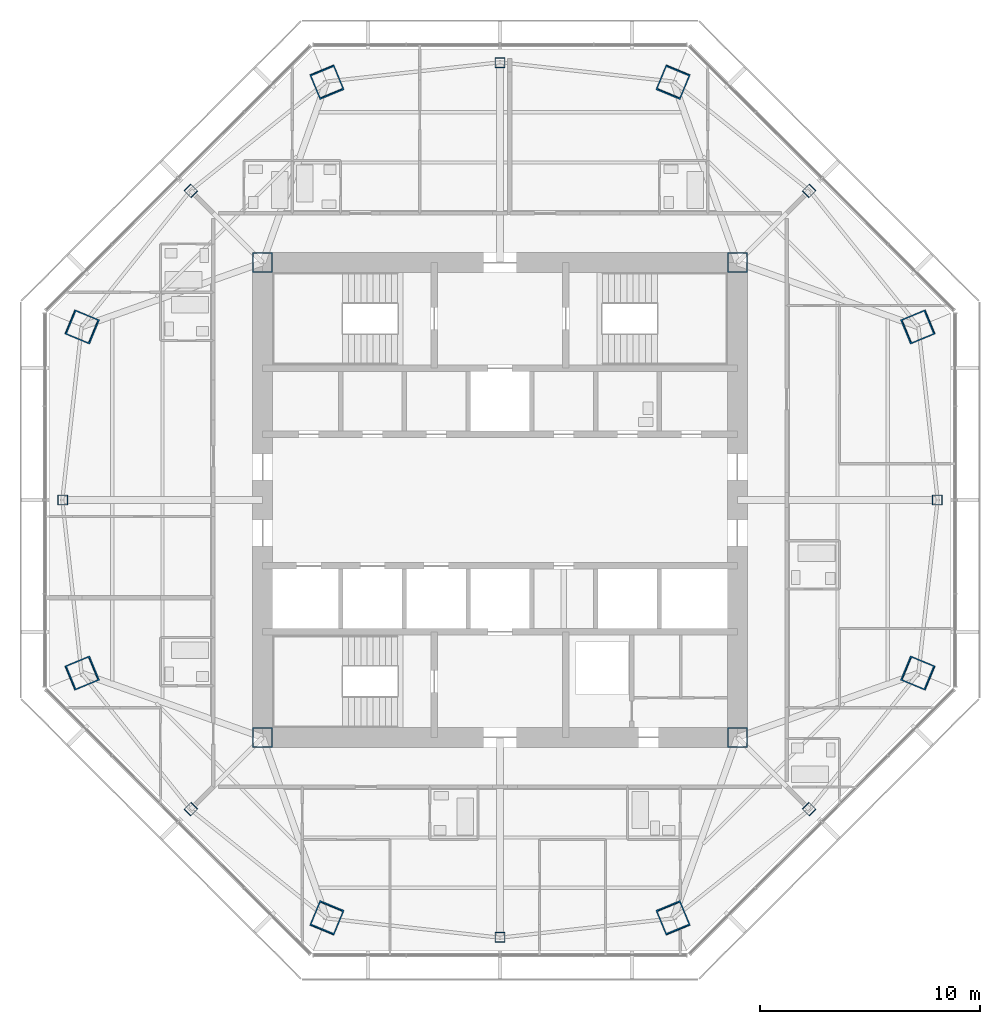
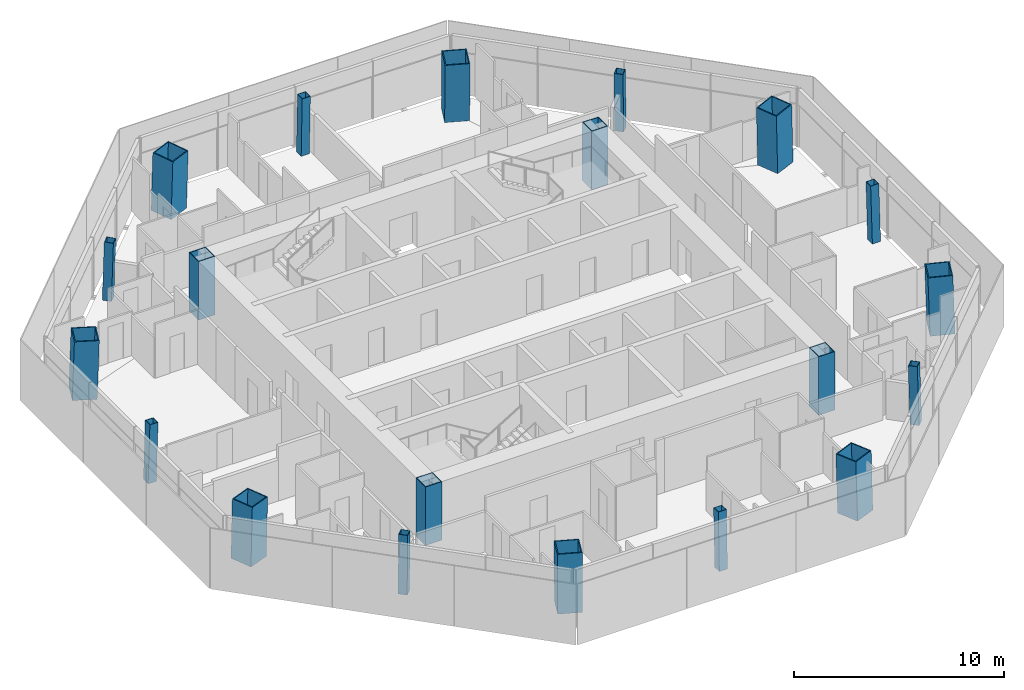
# One storey, part 1 of 15: 20 columns.
"""IFC4 building model written with IfcOpenShell, lengths in metres."""

from ifc_helpers import new_model, si_unit, direction, frame, origin, origin_2d, place, context, subcontext, project, spatial, hollow_rectangle, extrude, material, material_profile, profile_set, type_object, element, save


model = new_model("IFC4")

# Units and contexts
model_context = context("Model", 3, precision=1e-05, world=origin(), true_north=direction((0.0, 1.0)))
body_context = subcontext(model_context, "Body", "Model", "MODEL_VIEW")
ifc_project = project(units=[si_unit("LENGTHUNIT", "METRE"), si_unit("AREAUNIT", "SQUARE_METRE"), si_unit("VOLUMEUNIT", "CUBIC_METRE"), si_unit("PLANEANGLEUNIT", "RADIAN"), si_unit("MASSUNIT", "GRAM", prefix="KILO")], contexts=[model_context])

# Site, building, storey
site_placement = place(None, origin())
site = spatial("IfcSite", under=ifc_project, at=site_placement, CompositionType="ELEMENT")
building_placement = place(site_placement, origin())
building = spatial("IfcBuilding", under=site, at=building_placement, Name="Mashrafa Tower", CompositionType="ELEMENT")
storey_placement = place(building_placement, frame((0.0, 0.0, 258.39990234375)))
storey = spatial("IfcBuildingStorey", under=building, at=storey_placement, Name="L62", CompositionType="ELEMENT", Elevation=258.39990234375)

# Columns
ifc_material_1 = material(Name="Steel ASTM A572 Gr 50", Category="steel")
ifc_material_profile_1 = material_profile(ifc_material_1, hollow_rectangle(XDim=0.89990234375, YDim=0.89990234375, WallThickness=0.0400390625, at=origin_2d()), Name="BOX900X900X40")
ifc_profile_set_1 = profile_set([ifc_material_profile_1], Name="Steel ASTM A572 Gr 50")
column_type_1 = type_object("IfcColumnType", Name="Core corner column BOX900X900X40", PredefinedType="COLUMN", material=ifc_profile_set_1)
for number, where, z_axis, x_axis, name in (
    (1, (10.800048828125, 10.800048828125, 0.0), (0.0, 0.0, 1.0), (1.0, 0.0, 0.0), "Core corner column CC-NE L62"),
    (2, (-10.800048828125, 10.800048828125, 0.0), (0.0, 0.0, 1.0), (1.0, 0.0, 0.0), "Core corner column CC-NW L62"),
    (3, (-10.800048828125, -10.800048828125, 0.0), (0.0, 0.0, 1.0), (1.0, 0.0, 0.0), "Core corner column CC-SW L62"),
    (4, (10.800048828125, -10.800048828125, 0.0), (0.0, 0.0, 1.0), (1.0, 0.0, 0.0), "Core corner column CC-SE L62"),
):
    element("IfcColumn", number, at=place(storey_placement, frame(where, z_axis=z_axis, x_axis=x_axis)), inside=storey, type_object=column_type_1, Name=name, PredefinedType="COLUMN", context=body_context, shape_type="SweptSolid", body=[
        extrude(hollow_rectangle(XDim=0.89990234375, YDim=0.89990234375, WallThickness=0.0400390625, at=origin_2d()), origin(), (0.0, 0.0, 1.0), 3.400146484375),
    ])
ifc_material_2 = material(Name="Steel ASTM A572 Gr 50", Category="steel")
ifc_material_profile_2 = material_profile(ifc_material_2, hollow_rectangle(XDim=1.199951171875, YDim=1.199951171875, WallThickness=0.054931640625, at=origin_2d()), Name="BOX1200X1200X55")
ifc_profile_set_2 = profile_set([ifc_material_profile_2], Name="Steel ASTM A572 Gr 50")
column_type_2 = type_object("IfcColumnType", Name="Mega column CFST BOX1200X1200X55", PredefinedType="COLUMN", material=ifc_profile_set_2)
for number, where, z_axis, x_axis, name in (
    (5, (19.02685546875, 7.881103515625, 0.0), (-0.028277121884, -0.011698403216, 0.999531666202), (0.382282742426, -0.924045401938, 0.0), "Mega column MC1 L62"),
    (6, (7.881103515625, 19.02685546875, 0.0), (-0.011698403216, -0.028277121884, 0.999531666202), (0.924045401938, -0.382282742426, 0.0), "Mega column MC2 L62"),
    (7, (-7.881103515625, 19.02685546875, 0.0), (0.011698403216, -0.028277121884, 0.999531666202), (0.924045401938, 0.382282742426, 0.0), "Mega column MC3 L62"),
    (8, (-19.02685546875, 7.881103515625, 0.0), (0.028277121884, -0.011698403216, 0.999531666202), (0.382282742426, 0.924045401938, 0.0), "Mega column MC4 L62"),
    (9, (-19.02685546875, -7.881103515625, 0.0), (0.028277121884, 0.011698403216, 0.999531666202), (-0.382282742426, 0.924045401938, 0.0), "Mega column MC5 L62"),
    (10, (-7.881103515625, -19.02685546875, 0.0), (0.011698403216, 0.028277121884, 0.999531666202), (-0.924045401938, 0.382282742426, 0.0), "Mega column MC6 L62"),
    (11, (7.881103515625, -19.02685546875, 0.0), (-0.011698403216, 0.028277121884, 0.999531666202), (-0.924045401938, -0.382282742426, 0.0), "Mega column MC7 L62"),
    (12, (19.02685546875, -7.881103515625, 0.0), (-0.028277121884, 0.011698403216, 0.999531666202), (-0.382282742426, -0.924045401938, 0.0), "Mega column MC8 L62"),
):
    element("IfcColumn", number, at=place(storey_placement, frame(where, z_axis=z_axis, x_axis=x_axis)), inside=storey, type_object=column_type_2, Name=name, PredefinedType="COLUMN", context=body_context, shape_type="SweptSolid", body=[
        extrude(hollow_rectangle(XDim=1.199951171875, YDim=1.199951171875, WallThickness=0.054931640625, at=origin_2d()), origin(), (0.0, 0.0, 1.0), 3.40185546875),
    ])
ifc_material_3 = material(Name="Steel ASTM A572 Gr 50", Category="steel")
ifc_material_profile_3 = material_profile(ifc_material_3, hollow_rectangle(XDim=0.449951171875, YDim=0.449951171875, WallThickness=0.02001953125, at=origin_2d()), Name="BOX450X450X20")
ifc_profile_set_3 = profile_set([ifc_material_profile_3], Name="Steel ASTM A572 Gr 50")
column_type_3 = type_object("IfcColumnType", Name="Secondary column BOX450X450X20", PredefinedType="COLUMN", material=ifc_profile_set_3)
for number, where, z_axis, x_axis, name in (
    (13, (19.905029296875, 0.0, 0.0), (-0.028279056982, 0.0, 0.999600067495), (0.0, -1.0, 0.0), "Secondary column SC1 L62"),
    (14, (14.074951171875, 14.074951171875, 0.0), (-0.020024994503, -0.020024994503, 0.999598919162), (0.707106781187, -0.707106781187, 0.0), "Secondary column SC2 L62"),
    (15, (0.0, 19.905029296875, 0.0), (0.0, -0.028279056982, 0.999600067495), (1.0, 0.0, 0.0), "Secondary column SC3 L62"),
    (16, (-14.074951171875, 14.074951171875, 0.0), (0.020024994503, -0.020024994503, 0.999598919162), (0.707106781187, 0.707106781187, 0.0), "Secondary column SC4 L62"),
    (17, (-19.905029296875, 0.0, 0.0), (0.028279056982, 0.0, 0.999600067495), (0.0, 1.0, 0.0), "Secondary column SC5 L62"),
    (18, (-14.074951171875, -14.074951171875, 0.0), (0.020024994503, 0.020024994503, 0.999598919162), (-0.707106781187, 0.707106781187, 0.0), "Secondary column SC6 L62"),
    (19, (0.0, -19.905029296875, 0.0), (0.0, 0.028279056982, 0.999600067495), (-1.0, 0.0, 0.0), "Secondary column SC7 L62"),
    (20, (14.074951171875, -14.074951171875, 0.0), (-0.020024994503, 0.020024994503, 0.999598919162), (-0.707106781187, -0.707106781187, 0.0), "Secondary column SC8 L62"),
):
    element("IfcColumn", number, at=place(storey_placement, frame(where, z_axis=z_axis, x_axis=x_axis)), inside=storey, type_object=column_type_3, Name=name, PredefinedType="COLUMN", context=body_context, shape_type="SweptSolid", body=[
        extrude(hollow_rectangle(XDim=0.449951171875, YDim=0.449951171875, WallThickness=0.02001953125, at=origin_2d()), origin(), (0.0, 0.0, 1.0), 3.401611328125),
    ])

save(model, "model.ifc")
